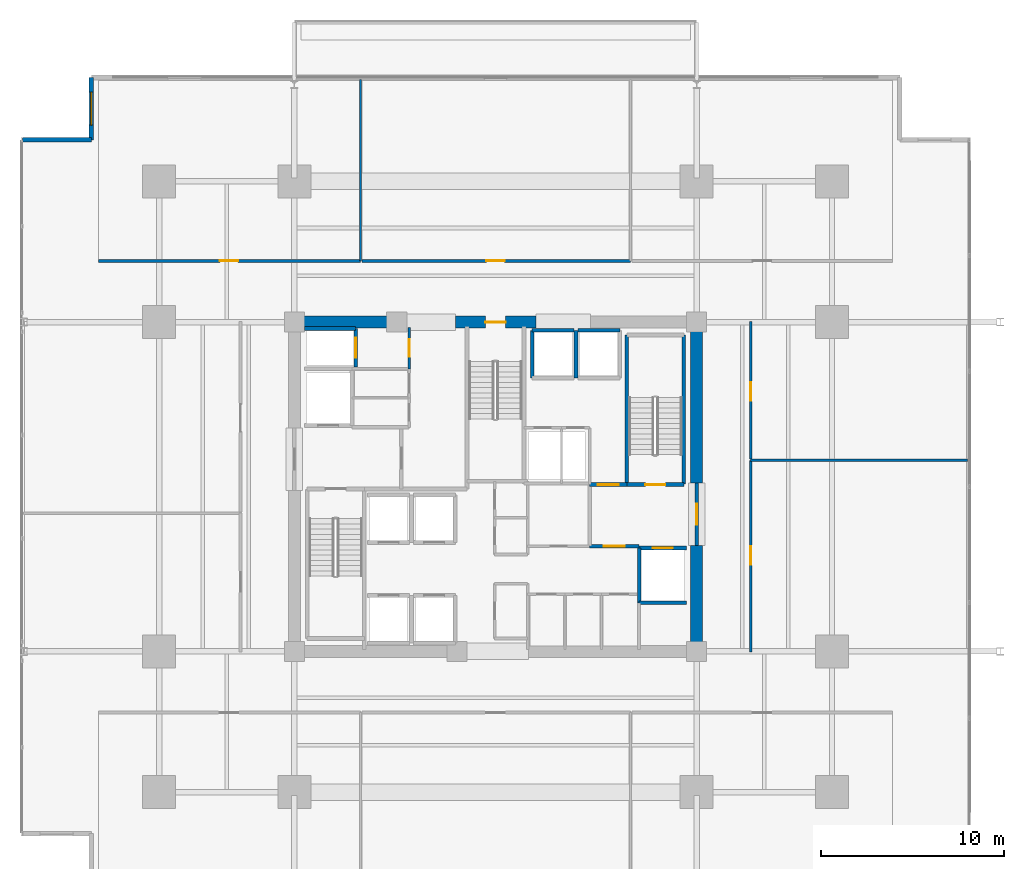
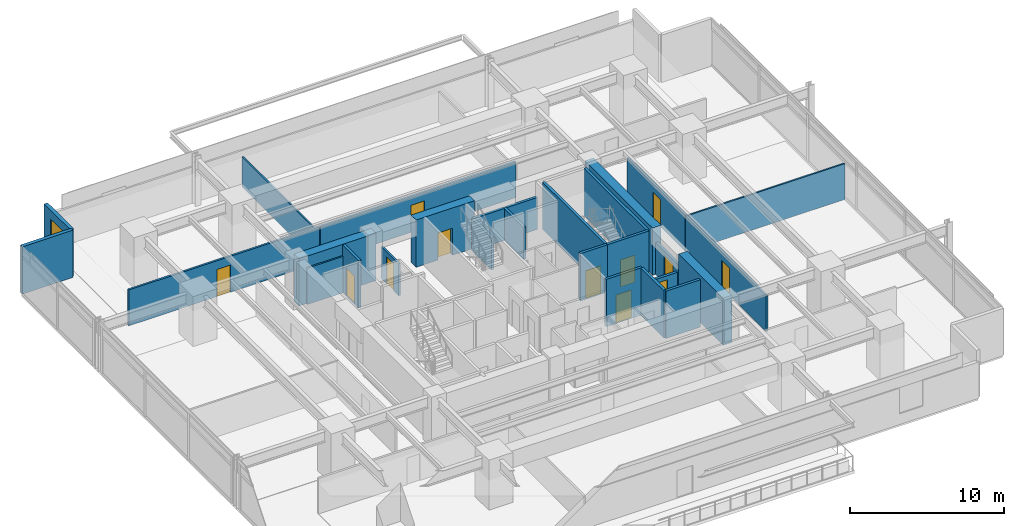
# One storey, part 17 of 23: 28 walls, 12 doors, 1 window, 13 openings.
"""IFC4 building model written with IfcOpenShell, lengths in metres."""

from ifc_helpers import new_model, si_unit, direction, frame, frame_2d, origin, place, context, subcontext, project, spatial, rectangle, extrude, material, layer, layer_set, type_object, element, fill, save


model = new_model("IFC4")

# Units and contexts
model_context = context("Model", 3, precision=1e-05, world=origin(), true_north=direction((0.0, 1.0)))
body_context = subcontext(model_context, "Body", "Model", "MODEL_VIEW")
ifc_project = project(units=[si_unit("LENGTHUNIT", "METRE"), si_unit("AREAUNIT", "SQUARE_METRE"), si_unit("VOLUMEUNIT", "CUBIC_METRE"), si_unit("PLANEANGLEUNIT", "RADIAN"), si_unit("MASSUNIT", "GRAM", prefix="KILO")], contexts=[model_context])

# Site, building, storey
site_placement = place(None, origin())
site = spatial("IfcSite", under=ifc_project, at=site_placement, CompositionType="ELEMENT")
building_placement = place(site_placement, origin())
building = spatial("IfcBuilding", under=site, at=building_placement, Name="Kovane Verandah Tower", CompositionType="ELEMENT")
storey_placement = place(building_placement, frame((0.0, 0.0, 63.60009765625)))
storey = spatial("IfcBuildingStorey", under=building, at=storey_placement, Name="L14", CompositionType="ELEMENT", Elevation=63.60009765625)

# Wall, opening, door
ifc_material_1 = material(Name="Fire-Rated Gypsum Stud Partition", Category="gypsum")
ifc_layer_1 = layer(ifc_material_1, 0.14990234375)
ifc_layer_set_1 = layer_set([ifc_layer_1], Name="Fire-Rated Gypsum Stud Partition")
wall_type_1 = type_object("IfcWallType", Name="WL-COR-150", PredefinedType="PARTITIONING", material=ifc_layer_set_1)
wall_1_placement = place(storey_placement, frame((35.280029296875, 33.949951171875, 0.0), z_axis=(0.0, 0.0, 1.0), x_axis=(0.0, 1.0, 0.0)))
wall_1 = element("IfcWall", 1, at=wall_1_placement, inside=storey, type_object=wall_type_1, Name="L14 Goods Lift Lobby East Fire Partition", PredefinedType="PARTITIONING", context=body_context, shape_type="SweptSolid", body=[
    extrude(rectangle(XDim=2.27001953125, YDim=0.14990234375, at=frame_2d((1.135009765625, 0.0))), origin(), (0.0, 0.0, 1.0), 2.539794921875),
])
opening_1_placement = place(wall_1_placement, frame((0.659912109375, 0.0, 0.0)))
opening_1 = element("IfcOpeningElement", 2, at=opening_1_placement, cuts=wall_1, Name="Opening DR-L14-008", PredefinedType="OPENING", context=body_context, shape_type="SweptSolid", body=[
    extrude(rectangle(XDim=0.949951171875, YDim=2.14990234375, at=frame_2d((0.47509765625, 1.074951171875))), frame((0.0, 0.074951171875, 0.0), z_axis=(0.0, -1.0, 0.0), x_axis=(1.0, 0.0, 0.0)), (0.0, 0.0, 1.0), 0.14990234375),
])
ifc_material_2 = material(Name="Fire-Rated Steel Refuge and Lobby Door", Category="steel")
door_type_1 = type_object("IfcDoorType", Name="DR-FIRE-950", OperationType="SINGLE_SWING_LEFT", PredefinedType="DOOR", material=ifc_material_2)
door_1_placement = place(opening_1_placement, origin())
door_1 = element("IfcDoor", 3, at=door_1_placement, inside=storey, type_object=door_type_1, Name="L14 Goods Lift Lobby Fire Door", OperationType="SINGLE_SWING_RIGHT", OverallHeight=2.14990234375, OverallWidth=0.949951171875, PredefinedType="DOOR", context=body_context, shape_type="SweptSolid", body=[
    extrude(rectangle(XDim=0.949951171875, YDim=2.14990234375, at=frame_2d((0.47509765625, 1.074951171875))), frame((0.0, 0.02490234375, 0.0), z_axis=(0.0, -1.0, 0.0), x_axis=(1.0, 0.0, 0.0)), (0.0, 0.0, 1.0), 0.050048828125),
])
fill(opening_1, door_1)

wall_2_placement = place(storey_placement, frame((18.29296875, 39.85009765625, 0.0), z_axis=(0.0, 0.0, 1.0), x_axis=(1.0, 0.0, 0.0)))
wall_2 = element("IfcWall", 4, at=wall_2_placement, inside=storey, type_object=wall_type_1, Name="L14 Meeting Room N1 Corridor Partition", PredefinedType="PARTITIONING", context=body_context, shape_type="SweptSolid", body=[
    extrude(rectangle(XDim=14.32666015625, YDim=0.14990234375, at=frame_2d((7.163330078125, 0.0))), origin(), (0.0, 0.0, 1.0), 2.849853515625),
])
opening_2_placement = place(wall_2_placement, frame((6.62841796875, 0.0, 0.0)))
opening_2 = element("IfcOpeningElement", 5, at=opening_2_placement, cuts=wall_2, Name="Opening DR-L14-021", PredefinedType="OPENING", context=body_context, shape_type="SweptSolid", body=[
    extrude(rectangle(XDim=1.0, YDim=2.14990234375, at=frame_2d((0.5, 1.074951171875))), frame((0.0, 0.074951171875, 0.0), z_axis=(0.0, -1.0, 0.0), x_axis=(1.0, 0.0, 0.0)), (0.0, 0.0, 1.0), 0.14990234375),
])
ifc_material_3 = material(Name="FSC Spotted-Gum Timber Fire-Rated Office Door", Category="wood")
door_type_2 = type_object("IfcDoorType", Name="DR-OFF-1000", OperationType="SINGLE_SWING_LEFT", PredefinedType="DOOR", material=ifc_material_3)
door_2_placement = place(opening_2_placement, origin())
door_2 = element("IfcDoor", 6, at=door_2_placement, inside=storey, type_object=door_type_2, Name="L14 Meeting Room N1 Entrance Door", OperationType="SINGLE_SWING_LEFT", OverallHeight=2.14990234375, OverallWidth=1.0, PredefinedType="DOOR", context=body_context, shape_type="SweptSolid", body=[
    extrude(rectangle(XDim=1.0, YDim=2.14990234375, at=frame_2d((0.5, 1.074951171875))), frame((0.0, 0.02490234375, 0.0), z_axis=(0.0, -1.0, 0.0), x_axis=(1.0, 0.0, 0.0)), (0.0, 0.0, 1.0), 0.050048828125),
])
fill(opening_2, door_2)

wall_3_placement = place(storey_placement, frame((32.689697265625, 39.85009765625, 0.0), z_axis=(0.0, 0.0, 1.0), x_axis=(1.0, 0.0, 0.0)))
wall_3 = element("IfcWall", 7, at=wall_3_placement, inside=storey, type_object=wall_type_1, Name="L14 Focus Studio N2 Corridor Partition", PredefinedType="PARTITIONING", context=body_context, shape_type="SweptSolid", body=[
    extrude(rectangle(XDim=14.690673828125, YDim=0.14990234375, at=frame_2d((7.34521484375, 0.0))), origin(), (0.0, 0.0, 1.0), 2.849853515625),
])
opening_3_placement = place(wall_3_placement, frame((6.810302734375, 0.0, 0.0)))
opening_3 = element("IfcOpeningElement", 8, at=opening_3_placement, cuts=wall_3, Name="Opening DR-L14-022", PredefinedType="OPENING", context=body_context, shape_type="SweptSolid", body=[
    extrude(rectangle(XDim=1.0, YDim=2.14990234375, at=frame_2d((0.5, 1.074951171875))), frame((0.0, 0.074951171875, 0.0), z_axis=(0.0, -1.0, 0.0), x_axis=(1.0, 0.0, 0.0)), (0.0, 0.0, 1.0), 0.14990234375),
])
door_3_placement = place(opening_3_placement, origin())
door_3 = element("IfcDoor", 9, at=door_3_placement, inside=storey, type_object=door_type_2, Name="L14 Focus Studio N2 Entrance Door", OperationType="SINGLE_SWING_RIGHT", OverallHeight=2.14990234375, OverallWidth=1.0, PredefinedType="DOOR", context=body_context, shape_type="SweptSolid", body=[
    extrude(rectangle(XDim=1.0, YDim=2.14990234375, at=frame_2d((0.5, 1.074951171875))), frame((0.0, 0.02490234375, 0.0), z_axis=(0.0, -1.0, 0.0), x_axis=(1.0, 0.0, 0.0)), (0.0, 0.0, 1.0), 0.050048828125),
])
fill(opening_3, door_3)

wall_4_placement = place(storey_placement, frame((53.949951171875, 18.449951171875, 0.0), z_axis=(0.0, 0.0, 1.0), x_axis=(0.0, 1.0, 0.0)))
wall_4 = element("IfcWall", 10, at=wall_4_placement, inside=storey, type_object=wall_type_1, Name="L14 Meeting Room E1 Corridor Partition", PredefinedType="PARTITIONING", context=body_context, shape_type="SweptSolid", body=[
    extrude(rectangle(XDim=10.498046875, YDim=0.14990234375, at=frame_2d((5.2490234375, 0.0))), origin(), (0.0, 0.0, 1.0), 2.849853515625),
])
opening_4_placement = place(wall_4_placement, frame((4.7890625, 0.0, 0.0)))
opening_4 = element("IfcOpeningElement", 11, at=opening_4_placement, cuts=wall_4, Name="Opening DR-L14-013", PredefinedType="OPENING", context=body_context, shape_type="SweptSolid", body=[
    extrude(rectangle(XDim=1.0, YDim=2.14990234375, at=frame_2d((0.5, 1.074951171875))), frame((0.0, 0.074951171875, 0.0), z_axis=(0.0, -1.0, 0.0), x_axis=(1.0, 0.0, 0.0)), (0.0, 0.0, 1.0), 0.14990234375),
])
door_4_placement = place(opening_4_placement, origin())
door_4 = element("IfcDoor", 12, at=door_4_placement, inside=storey, type_object=door_type_2, Name="L14 Meeting Room E1 Entrance Door", OperationType="SINGLE_SWING_LEFT", OverallHeight=2.14990234375, OverallWidth=1.0, PredefinedType="DOOR", context=body_context, shape_type="SweptSolid", body=[
    extrude(rectangle(XDim=1.0, YDim=2.14990234375, at=frame_2d((0.5, 1.074951171875))), frame((0.0, 0.02490234375, 0.0), z_axis=(0.0, -1.0, 0.0), x_axis=(1.0, 0.0, 0.0)), (0.0, 0.0, 1.0), 0.050048828125),
])
fill(opening_4, door_4)

wall_5_placement = place(storey_placement, frame((53.949951171875, 29.01806640625, 0.0), z_axis=(0.0, 0.0, 1.0), x_axis=(0.0, 1.0, 0.0)))
wall_5 = element("IfcWall", 13, at=wall_5_placement, inside=storey, type_object=wall_type_1, Name="L14 Focus Studio E2 Corridor Partition", PredefinedType="PARTITIONING", context=body_context, shape_type="SweptSolid", body=[
    extrude(rectangle(XDim=7.531982421875, YDim=0.14990234375, at=frame_2d((3.76611328125, 0.0))), origin(), (0.0, 0.0, 1.0), 2.849853515625),
])
opening_5_placement = place(wall_5_placement, frame((3.19091796875, 0.0, 0.0)))
opening_5 = element("IfcOpeningElement", 14, at=opening_5_placement, cuts=wall_5, Name="Opening DR-L14-014", PredefinedType="OPENING", context=body_context, shape_type="SweptSolid", body=[
    extrude(rectangle(XDim=1.0, YDim=2.14990234375, at=frame_2d((0.5, 1.074951171875))), frame((0.0, 0.074951171875, 0.0), z_axis=(0.0, -1.0, 0.0), x_axis=(1.0, 0.0, 0.0)), (0.0, 0.0, 1.0), 0.14990234375),
])
door_5_placement = place(opening_5_placement, origin())
door_5 = element("IfcDoor", 15, at=door_5_placement, inside=storey, type_object=door_type_2, Name="L14 Focus Studio E2 Entrance Door", OperationType="SINGLE_SWING_RIGHT", OverallHeight=2.14990234375, OverallWidth=1.0, PredefinedType="DOOR", context=body_context, shape_type="SweptSolid", body=[
    extrude(rectangle(XDim=1.0, YDim=2.14990234375, at=frame_2d((0.5, 1.074951171875))), frame((0.0, 0.02490234375, 0.0), z_axis=(0.0, -1.0, 0.0), x_axis=(1.0, 0.0, 0.0)), (0.0, 0.0, 1.0), 0.050048828125),
])
fill(opening_5, door_5)

# Wall
ifc_material_4 = material(Name="Concrete C80/95", Category="concrete")
ifc_layer_2 = layer(ifc_material_4, 0.64990234375)
ifc_layer_set_2 = layer_set([ifc_layer_2], Name="Concrete C80/95")
wall_type_2 = type_object("IfcWallType", Name="WL-CORE-650", PredefinedType="SHEAR", material=ifc_layer_set_2)
wall_6_placement = place(storey_placement, frame((29.0, 36.5, 0.0), z_axis=(0.0, 0.0, 1.0), x_axis=(1.0, 0.0, 0.0)))
element("IfcWall", 16, at=wall_6_placement, inside=storey, type_object=wall_type_2, Name="L14 Core Shear Wall CN-1", PredefinedType="SHEAR", context=body_context, shape_type="SweptSolid", body=[
    extrude(rectangle(XDim=5.800048828125, YDim=0.64990234375, at=frame_2d((2.89990234375, 0.0))), origin(), (0.0, 0.0, 1.0), 3.760009765625),
])

# Wall, opening, door
wall_7_placement = place(storey_placement, frame((37.800048828125, 36.5, 0.0), z_axis=(0.0, 0.0, 1.0), x_axis=(1.0, 0.0, 0.0)))
wall_7 = element("IfcWall", 17, at=wall_7_placement, inside=storey, type_object=wall_type_2, Name="L14 Core Shear Wall CN-2", PredefinedType="SHEAR", context=body_context, shape_type="SweptSolid", body=[
    extrude(rectangle(XDim=4.39990234375, YDim=0.64990234375, at=frame_2d((2.199951171875, 0.0))), origin(), (0.0, 0.0, 1.0), 3.760009765625),
])
opening_6_placement = place(wall_7_placement, frame((1.64990234375, 0.0, 0.0)))
opening_6 = element("IfcOpeningElement", 18, at=opening_6_placement, cuts=wall_7, Name="Opening DR-L14-011", PredefinedType="OPENING", context=body_context, shape_type="SweptSolid", body=[
    extrude(rectangle(XDim=1.10009765625, YDim=2.14990234375, at=frame_2d((0.550048828125, 1.074951171875))), frame((0.0, 0.324951171875, 0.0), z_axis=(0.0, -1.0, 0.0), x_axis=(1.0, 0.0, 0.0)), (0.0, 0.0, 1.0), 0.64990234375),
])
ifc_material_5 = material(Name="Fire-Rated Steel Exit Door", Category="steel")
door_type_3 = type_object("IfcDoorType", Name="DR-STAIR-1100", OperationType="SINGLE_SWING_LEFT", PredefinedType="DOOR", material=ifc_material_5)
door_6_placement = place(opening_6_placement, origin())
door_6 = element("IfcDoor", 19, at=door_6_placement, inside=storey, type_object=door_type_3, Name="L14 ST-03 Fire Exit Stair Door", OperationType="SINGLE_SWING_RIGHT", OverallHeight=2.14990234375, OverallWidth=1.10009765625, PredefinedType="DOOR", context=body_context, shape_type="SweptSolid", body=[
    extrude(rectangle(XDim=1.10009765625, YDim=2.14990234375, at=frame_2d((0.550048828125, 1.074951171875))), frame((0.0, 0.02490234375, 0.0), z_axis=(0.0, -1.0, 0.0), x_axis=(1.0, 0.0, 0.0)), (0.0, 0.0, 1.0), 0.050048828125),
])
fill(opening_6, door_6)

# Walls
wall_8_placement = place(storey_placement, frame((51.0, 18.5, 0.0), z_axis=(0.0, 0.0, 1.0), x_axis=(0.0, 1.0, 0.0)))
element("IfcWall", 20, at=wall_8_placement, inside=storey, type_object=wall_type_2, Name="L14 Core Shear Wall CE-1", PredefinedType="SHEAR", context=body_context, shape_type="SweptSolid", body=[
    extrude(rectangle(XDim=5.800048828125, YDim=0.64990234375, at=frame_2d((2.89990234375, 0.0))), origin(), (0.0, 0.0, 1.0), 3.760009765625),
])
wall_9_placement = place(storey_placement, frame((51.0, 27.699951171875, 0.0), z_axis=(0.0, 0.0, 1.0), x_axis=(0.0, 1.0, 0.0)))
element("IfcWall", 21, at=wall_9_placement, inside=storey, type_object=wall_type_2, Name="L14 Core Shear Wall CE-2", PredefinedType="SHEAR", context=body_context, shape_type="SweptSolid", body=[
    extrude(rectangle(XDim=8.800048828125, YDim=0.64990234375, at=frame_2d((4.39990234375, 0.0))), origin(), (0.0, 0.0, 1.0), 3.760009765625),
])

# Wall, opening, door
ifc_material_6 = material(Name="Concrete C45/55 Fire Wall", Category="concrete")
ifc_layer_3 = layer(ifc_material_6, 0.199951171875)
ifc_layer_set_3 = layer_set([ifc_layer_3], Name="Concrete C45/55 Fire Wall")
wall_type_3 = type_object("IfcWallType", Name="WL-FFL-200", PredefinedType="PARTITIONING", material=ifc_layer_set_3)
wall_10_placement = place(storey_placement, frame((45.14990234375, 24.25, 0.0), z_axis=(0.0, 0.0, 1.0), x_axis=(1.0, 0.0, 0.0)))
wall_10 = element("IfcWall", 22, at=wall_10_placement, inside=storey, type_object=wall_type_3, Name="W-L14-FFLE-S", PredefinedType="PARTITIONING", context=body_context, shape_type="SweptSolid", body=[
    extrude(rectangle(XDim=2.7001953125, YDim=0.199951171875, at=frame_2d((1.35009765625, 0.0))), origin(), (0.0, 0.0, 1.0), 3.760009765625),
])
opening_7_placement = place(wall_10_placement, frame((0.77490234375, 0.0, 0.0)))
opening_7 = element("IfcOpeningElement", 23, at=opening_7_placement, cuts=wall_10, Name="Opening DR-L14-003", PredefinedType="OPENING", context=body_context, shape_type="SweptSolid", body=[
    extrude(rectangle(XDim=1.14990234375, YDim=2.199951171875, at=frame_2d((0.574951171875, 1.10009765625))), frame((0.0, 0.10009765625, 0.0), z_axis=(0.0, -1.0, 0.0), x_axis=(1.0, 0.0, 0.0)), (0.0, 0.0, 1.0), 0.199951171875),
])
ifc_material_7 = material(Name="Smoke-Sealed Firefighting Lobby Door", Category="steel")
door_type_4 = type_object("IfcDoorType", Name="DR-FFL-1150", OperationType="SINGLE_SWING_LEFT", PredefinedType="DOOR", material=ifc_material_7)
door_7_placement = place(opening_7_placement, origin())
door_7 = element("IfcDoor", 24, at=door_7_placement, inside=storey, type_object=door_type_4, Name="L14 East Firefighting Lobby Inner Door", OperationType="SINGLE_SWING_RIGHT", OverallHeight=2.199951171875, OverallWidth=1.14990234375, PredefinedType="DOOR", context=body_context, shape_type="SweptSolid", body=[
    extrude(rectangle(XDim=1.14990234375, YDim=2.199951171875, at=frame_2d((0.574951171875, 1.10009765625))), frame((0.0, 0.02490234375, 0.0), z_axis=(0.0, -1.0, 0.0), x_axis=(1.0, 0.0, 0.0)), (0.0, 0.0, 1.0), 0.050048828125),
])
fill(opening_7, door_7)

wall_11_placement = place(storey_placement, frame((45.14990234375, 27.6201171875, 0.0), z_axis=(0.0, 0.0, 1.0), x_axis=(1.0, 0.0, 0.0)))
wall_11 = element("IfcWall", 25, at=wall_11_placement, inside=storey, type_object=wall_type_3, Name="W-L14-FFLE-N", PredefinedType="PARTITIONING", context=body_context, shape_type="SweptSolid", body=[
    extrude(rectangle(XDim=2.030029296875, YDim=0.199951171875, at=frame_2d((1.01513671875, 0.0))), origin(), (0.0, 0.0, 1.0), 3.760009765625),
])
opening_8_placement = place(wall_11_placement, frame((0.43994140625, 0.0, 0.0)))
opening_8 = element("IfcOpeningElement", 26, at=opening_8_placement, cuts=wall_11, Name="Opening DR-L14-004", PredefinedType="OPENING", context=body_context, shape_type="SweptSolid", body=[
    extrude(rectangle(XDim=1.14990234375, YDim=2.199951171875, at=frame_2d((0.574951171875, 1.10009765625))), frame((0.0, 0.10009765625, 0.0), z_axis=(0.0, -1.0, 0.0), x_axis=(1.0, 0.0, 0.0)), (0.0, 0.0, 1.0), 0.199951171875),
])
door_8_placement = place(opening_8_placement, origin())
door_8 = element("IfcDoor", 27, at=door_8_placement, inside=storey, type_object=door_type_4, Name="L14 East Firefighting Lobby Shuttle Link Door", OperationType="SINGLE_SWING_LEFT", OverallHeight=2.199951171875, OverallWidth=1.14990234375, PredefinedType="DOOR", context=body_context, shape_type="SweptSolid", body=[
    extrude(rectangle(XDim=1.14990234375, YDim=2.199951171875, at=frame_2d((0.574951171875, 1.10009765625))), frame((0.0, 0.02490234375, 0.0), z_axis=(0.0, -1.0, 0.0), x_axis=(1.0, 0.0, 0.0)), (0.0, 0.0, 1.0), 0.050048828125),
])
fill(opening_8, door_8)

wall_12_placement = place(storey_placement, frame((51.0, 24.300048828125, 0.0), z_axis=(0.0, 0.0, 1.0), x_axis=(0.0, 1.0, 0.0)))
wall_12 = element("IfcWall", 28, at=wall_12_placement, inside=storey, type_object=wall_type_3, Name="W-L14-FFLE-OUT", PredefinedType="PARTITIONING", context=body_context, shape_type="SweptSolid", body=[
    extrude(rectangle(XDim=3.39990234375, YDim=0.199951171875, at=frame_2d((1.699951171875, 0.0))), origin(), (0.0, 0.0, 1.0), 2.539794921875),
])
opening_9_placement = place(wall_12_placement, frame((1.125, 0.0, 0.0)))
opening_9 = element("IfcOpeningElement", 29, at=opening_9_placement, cuts=wall_12, Name="Opening DR-L14-005", PredefinedType="OPENING", context=body_context, shape_type="SweptSolid", body=[
    extrude(rectangle(XDim=1.14990234375, YDim=2.199951171875, at=frame_2d((0.574951171875, 1.10009765625))), frame((0.0, 0.10009765625, 0.0), z_axis=(0.0, -1.0, 0.0), x_axis=(1.0, 0.0, 0.0)), (0.0, 0.0, 1.0), 0.199951171875),
])
door_9_placement = place(opening_9_placement, origin())
door_9 = element("IfcDoor", 30, at=door_9_placement, inside=storey, type_object=door_type_4, Name="L14 East Firefighting Lobby Corridor Door", OperationType="SINGLE_SWING_LEFT", OverallHeight=2.199951171875, OverallWidth=1.14990234375, PredefinedType="DOOR", context=body_context, shape_type="SweptSolid", body=[
    extrude(rectangle(XDim=1.14990234375, YDim=2.199951171875, at=frame_2d((0.574951171875, 1.10009765625))), frame((0.0, 0.02490234375, 0.0), z_axis=(0.0, -1.0, 0.0), x_axis=(1.0, 0.0, 0.0)), (0.0, 0.0, 1.0), 0.050048828125),
])
fill(opening_9, door_9)

# Wall
ifc_material_8 = material(Name="Concrete C45/55 Lift Shaft Wall", Category="concrete")
ifc_layer_4 = layer(ifc_material_8, 0.199951171875)
ifc_layer_set_4 = layer_set([ifc_layer_4], Name="Concrete C45/55 Lift Shaft Wall")
wall_type_4 = type_object("IfcWallType", Name="WL-LIFT-200", PredefinedType="SOLIDWALL", material=ifc_layer_set_4)
wall_13_placement = place(storey_placement, frame((47.85009765625, 21.14990234375, 0.0), z_axis=(0.0, 0.0, 1.0), x_axis=(1.0, 0.0, 0.0)))
element("IfcWall", 31, at=wall_13_placement, inside=storey, type_object=wall_type_4, Name="L14 Lift FL-02 S Shaft Wall", PredefinedType="SOLIDWALL", context=body_context, shape_type="SweptSolid", body=[
    extrude(rectangle(XDim=2.599853515625, YDim=0.199951171875, at=frame_2d((1.2998046875, 0.0))), origin(), (0.0, 0.0, 1.0), 3.760009765625),
])

# Wall, opening, door
wall_14_placement = place(storey_placement, frame((50.449951171875, 24.14990234375, 0.0), z_axis=(0.0, 0.0, 1.0), x_axis=(-1.0, 0.0, 0.0)))
wall_14 = element("IfcWall", 32, at=wall_14_placement, inside=storey, type_object=wall_type_4, Name="L14 Lift FL-02 N Shaft Wall", PredefinedType="SOLIDWALL", context=body_context, shape_type="SweptSolid", body=[
    extrude(rectangle(XDim=2.599853515625, YDim=0.199951171875, at=frame_2d((1.2998046875, 0.0))), origin(), (0.0, 0.0, 1.0), 2.539794921875),
])
opening_10_placement = place(wall_14_placement, frame((0.75, 0.0, 0.0)))
opening_10 = element("IfcOpeningElement", 33, at=opening_10_placement, cuts=wall_14, Name="Opening LD-L14-002", PredefinedType="OPENING", context=body_context, shape_type="SweptSolid", body=[
    extrude(rectangle(XDim=1.10009765625, YDim=2.199951171875, at=frame_2d((0.550048828125, 1.10009765625))), frame((0.0, 0.10009765625, 0.0), z_axis=(0.0, -1.0, 0.0), x_axis=(1.0, 0.0, 0.0)), (0.0, 0.0, 1.0), 0.199951171875),
])
ifc_material_9 = material(Name="Brushed Stainless Steel Sliding Lift Landing Door", Category="steel")
door_type_5 = type_object("IfcDoorType", Name="DR-LIFT-1100", OperationType="SLIDING_TO_RIGHT", PredefinedType="DOOR", material=ifc_material_9)
door_10_placement = place(opening_10_placement, origin())
door_10 = element("IfcDoor", 34, at=door_10_placement, inside=storey, type_object=door_type_5, Name="L14 Lift FL-02 Sliding Landing Door", OperationType="SLIDING_TO_RIGHT", OverallHeight=2.199951171875, OverallWidth=1.10009765625, PredefinedType="DOOR", context=body_context, shape_type="SweptSolid", body=[
    extrude(rectangle(XDim=1.10009765625, YDim=2.199951171875, at=frame_2d((0.550048828125, 1.10009765625))), frame((0.0, 0.02490234375, 0.0), z_axis=(0.0, -1.0, 0.0), x_axis=(1.0, 0.0, 0.0)), (0.0, 0.0, 1.0), 0.050048828125),
])
fill(opening_10, door_10)

# Walls
wall_15_placement = place(storey_placement, frame((47.85009765625, 24.14990234375, 0.0), z_axis=(0.0, 0.0, 1.0), x_axis=(0.0, -1.0, 0.0)))
element("IfcWall", 35, at=wall_15_placement, inside=storey, type_object=wall_type_4, Name="L14 Lift FL-02 W Shaft Wall", PredefinedType="SOLIDWALL", context=body_context, shape_type="SweptSolid", body=[
    extrude(rectangle(XDim=3.0, YDim=0.199951171875, at=frame_2d((1.5, 0.0))), origin(), (0.0, 0.0, 1.0), 3.760009765625),
])
wall_16_placement = place(storey_placement, frame((32.35009765625, 36.14990234375, 0.0), z_axis=(0.0, 0.0, 1.0), x_axis=(-1.0, 0.0, 0.0)))
element("IfcWall", 36, at=wall_16_placement, inside=storey, type_object=wall_type_4, Name="L14 Lift GL-01 N Shaft Wall", PredefinedType="SOLIDWALL", context=body_context, shape_type="SweptSolid", body=[
    extrude(rectangle(XDim=2.800048828125, YDim=0.199951171875, at=frame_2d((1.39990234375, 0.0))), origin(), (0.0, 0.0, 1.0), 2.88916015625),
])

# Wall, opening, door
wall_17_placement = place(storey_placement, frame((32.35009765625, 34.050048828125, 0.0), z_axis=(0.0, 0.0, 1.0), x_axis=(0.0, 1.0, 0.0)))
wall_17 = element("IfcWall", 37, at=wall_17_placement, inside=storey, type_object=wall_type_4, Name="L14 Lift GL-01 E Shaft Wall", PredefinedType="SOLIDWALL", context=body_context, shape_type="SweptSolid", body=[
    extrude(rectangle(XDim=2.099853515625, YDim=0.199951171875, at=frame_2d((1.0498046875, 0.0))), origin(), (0.0, 0.0, 1.0), 3.760009765625),
])
opening_11_placement = place(wall_17_placement, frame((0.5, 0.0, 0.0)))
opening_11 = element("IfcOpeningElement", 38, at=opening_11_placement, cuts=wall_17, Name="Opening LD-L14-003", PredefinedType="OPENING", context=body_context, shape_type="SweptSolid", body=[
    extrude(rectangle(XDim=1.10009765625, YDim=2.199951171875, at=frame_2d((0.550048828125, 1.10009765625))), frame((0.0, 0.10009765625, 0.0), z_axis=(0.0, -1.0, 0.0), x_axis=(1.0, 0.0, 0.0)), (0.0, 0.0, 1.0), 0.199951171875),
])
door_11_placement = place(opening_11_placement, origin())
door_11 = element("IfcDoor", 39, at=door_11_placement, inside=storey, type_object=door_type_5, Name="L14 Lift GL-01 Sliding Landing Door", OperationType="SLIDING_TO_RIGHT", OverallHeight=2.199951171875, OverallWidth=1.10009765625, PredefinedType="DOOR", context=body_context, shape_type="SweptSolid", body=[
    extrude(rectangle(XDim=1.10009765625, YDim=2.199951171875, at=frame_2d((0.550048828125, 1.10009765625))), frame((0.0, 0.02490234375, 0.0), z_axis=(0.0, -1.0, 0.0), x_axis=(1.0, 0.0, 0.0)), (0.0, 0.0, 1.0), 0.050048828125),
])
fill(opening_11, door_11)

# Walls
wall_18_placement = place(storey_placement, frame((44.300048828125, 36.050048828125, 0.0), z_axis=(0.0, 0.0, 1.0), x_axis=(-1.0, 0.0, 0.0)))
element("IfcWall", 40, at=wall_18_placement, inside=storey, type_object=wall_type_4, Name="L14 Lift SL-01 N Shaft Wall", PredefinedType="SOLIDWALL", context=body_context, shape_type="SweptSolid", body=[
    extrude(rectangle(XDim=2.300048828125, YDim=0.199951171875, at=frame_2d((1.14990234375, 0.0))), origin(), (0.0, 0.0, 1.0), 2.539794921875),
])
for number, where, z_axis, x_axis, name in (
    (41, (42.0, 36.050048828125, 0.0), (0.0, 0.0, 1.0), (0.0, -1.0, 0.0), "L14 Lift SL-01 W Shaft Wall"),
    (42, (44.39990234375, 33.449951171875, 0.0), (0.0, 0.0, 1.0), (0.0, 1.0, 0.0), "L14 Lift OL-01 and SL-01 Shared Shaft Wall"),
):
    element("IfcWall", number, at=place(storey_placement, frame(where, z_axis=z_axis, x_axis=x_axis)), inside=storey, type_object=wall_type_4, Name=name, PredefinedType="SOLIDWALL", context=body_context, shape_type="SweptSolid", body=[
        extrude(rectangle(XDim=2.60009765625, YDim=0.199951171875, at=frame_2d((1.300048828125, 0.0))), origin(), (0.0, 0.0, 1.0), 2.539794921875),
    ])
wall_19_placement = place(storey_placement, frame((46.800048828125, 36.050048828125, 0.0), z_axis=(0.0, 0.0, 1.0), x_axis=(-1.0, 0.0, 0.0)))
element("IfcWall", 43, at=wall_19_placement, inside=storey, type_object=wall_type_4, Name="L14 Lift OL-01 N Shaft Wall", PredefinedType="SOLIDWALL", context=body_context, shape_type="SweptSolid", body=[
    extrude(rectangle(XDim=2.300048828125, YDim=0.199951171875, at=frame_2d((1.14990234375, 0.0))), origin(), (0.0, 0.0, 1.0), 2.539794921875),
])
ifc_material_10 = material(Name="Acoustic Fire-Rated Gypsum Partition", Category="gypsum")
ifc_layer_5 = layer(ifc_material_10, 0.1201171875)
ifc_layer_set_5 = layer_set([ifc_layer_5], Name="Acoustic Fire-Rated Gypsum Partition")
wall_type_5 = type_object("IfcWallType", Name="WL-PART-120", PredefinedType="PARTITIONING", material=ifc_layer_set_5)
wall_20_placement = place(storey_placement, frame((32.61962890625, 39.85009765625, 0.0), z_axis=(0.0, 0.0, 1.0), x_axis=(0.0, 1.0, 0.0)))
element("IfcWall", 44, at=wall_20_placement, inside=storey, type_object=wall_type_5, Name="L14 Meeting Room N1 Dividing Partition", PredefinedType="PARTITIONING", context=body_context, shape_type="SweptSolid", body=[
    extrude(rectangle(XDim=9.9248046875, YDim=0.1201171875, at=frame_2d((4.96240234375, 0.0))), origin(), (0.0, 0.0, 1.0), 2.389892578125),
])
wall_21_placement = place(storey_placement, frame((53.949951171875, 28.947998046875, 0.0), z_axis=(0.0, 0.0, 1.0), x_axis=(1.0, 0.0, 0.0)))
element("IfcWall", 45, at=wall_21_placement, inside=storey, type_object=wall_type_5, Name="L14 Meeting Room E1 Dividing Partition", PredefinedType="PARTITIONING", context=body_context, shape_type="SweptSolid", body=[
    extrude(rectangle(XDim=11.857177734375, YDim=0.1201171875, at=frame_2d((5.9287109375, 0.0))), origin(), (0.0, 0.0, 1.0), 2.849853515625),
])
ifc_material_11 = material(Name="Concrete C45/55", Category="concrete")
ifc_layer_6 = layer(ifc_material_11, 0.199951171875)
ifc_layer_set_6 = layer_set([ifc_layer_6], Name="Concrete C45/55")
wall_type_6 = type_object("IfcWallType", Name="WL-SHAFT-200", PredefinedType="SOLIDWALL", material=ifc_layer_set_6)
wall_22_placement = place(storey_placement, frame((50.300048828125, 27.64990234375, 0.0), z_axis=(0.0, 0.0, 1.0), x_axis=(0.0, 1.0, 0.0)))
element("IfcWall", 46, at=wall_22_placement, inside=storey, type_object=wall_type_6, Name="W-L14-ST02-E", PredefinedType="SOLIDWALL", context=body_context, shape_type="SweptSolid", body=[
    extrude(rectangle(XDim=8.150146484375, YDim=0.199951171875, at=frame_2d((4.0751953125, 0.0))), origin(), (0.0, 0.0, 1.0), 3.760009765625),
])
wall_23_placement = place(storey_placement, frame((47.179931640625, 27.6201171875, 0.0), z_axis=(0.0, 0.0, 1.0), x_axis=(0.0, 1.0, 0.0)))
element("IfcWall", 47, at=wall_23_placement, inside=storey, type_object=wall_type_6, Name="W-L14-ST02-W", PredefinedType="SOLIDWALL", context=body_context, shape_type="SweptSolid", body=[
    extrude(rectangle(XDim=8.179931640625, YDim=0.199951171875, at=frame_2d((4.08984375, 0.0))), origin(), (0.0, 0.0, 1.0), 3.760009765625),
])

# Wall, opening, door
wall_24_placement = place(storey_placement, frame((47.179931640625, 27.6201171875, 0.0), z_axis=(0.0, 0.0, 1.0), x_axis=(1.0, 0.0, 0.0)))
wall_24 = element("IfcWall", 48, at=wall_24_placement, inside=storey, type_object=wall_type_6, Name="W-L14-ST02-S", PredefinedType="SOLIDWALL", context=body_context, shape_type="SweptSolid", body=[
    extrude(rectangle(XDim=3.1201171875, YDim=0.199951171875, at=frame_2d((1.56005859375, 0.0))), origin(), (0.0, 0.0, 1.0), 3.760009765625),
])
opening_12_placement = place(wall_24_placement, frame((1.010009765625, 0.0, 0.0)))
opening_12 = element("IfcOpeningElement", 49, at=opening_12_placement, cuts=wall_24, Name="Opening DR-L14-010", PredefinedType="OPENING", context=body_context, shape_type="SweptSolid", body=[
    extrude(rectangle(XDim=1.10009765625, YDim=2.14990234375, at=frame_2d((0.550048828125, 1.074951171875))), frame((0.0, 0.10009765625, 0.0), z_axis=(0.0, -1.0, 0.0), x_axis=(1.0, 0.0, 0.0)), (0.0, 0.0, 1.0), 0.199951171875),
])
door_12_placement = place(opening_12_placement, origin())
door_12 = element("IfcDoor", 50, at=door_12_placement, inside=storey, type_object=door_type_3, Name="L14 ST-02 Fire Exit Stair Door", OperationType="SINGLE_SWING_LEFT", OverallHeight=2.14990234375, OverallWidth=1.10009765625, PredefinedType="DOOR", context=body_context, shape_type="SweptSolid", body=[
    extrude(rectangle(XDim=1.10009765625, YDim=2.14990234375, at=frame_2d((0.550048828125, 1.074951171875))), frame((0.0, 0.02490234375, 0.0), z_axis=(0.0, -1.0, 0.0), x_axis=(1.0, 0.0, 0.0)), (0.0, 0.0, 1.0), 0.050048828125),
])
fill(opening_12, door_12)

# Wall, opening, window
ifc_material_12 = material(Name="Concrete C45/55 Insulated Spandrel Wall", Category="concrete")
ifc_layer_7 = layer(ifc_material_12, 0.260009765625)
ifc_layer_set_7 = layer_set([ifc_layer_7], Name="Concrete C45/55 Insulated Spandrel Wall")
wall_type_7 = type_object("IfcWallType", Name="WL-SPANDREL-260", PredefinedType="PARAPET", material=ifc_layer_set_7)
wall_25_placement = place(storey_placement, frame((17.892822265625, 49.875, 0.0), z_axis=(0.0, 0.0, 1.0), x_axis=(0.0, -1.0, 0.0)))
wall_25 = element("IfcWall", 51, at=wall_25_placement, inside=storey, type_object=wall_type_7, Name="L14 NW Notch Cheek Wall 1", PredefinedType="PARAPET", context=body_context, shape_type="SweptSolid", body=[
    extrude(rectangle(XDim=3.39990234375, YDim=0.260009765625, at=frame_2d((1.699951171875, 0.0))), origin(), (0.0, 0.0, 1.0), 3.760009765625),
])
opening_13_placement = place(wall_25_placement, frame((0.800048828125, 0.0, 0.85009765625)))
opening_13 = element("IfcOpeningElement", 52, at=opening_13_placement, cuts=wall_25, Name="Opening W-03", PredefinedType="OPENING", context=body_context, shape_type="SweptSolid", body=[
    extrude(rectangle(XDim=1.800048828125, YDim=2.199951171875, at=frame_2d((0.89990234375, 1.10009765625))), frame((0.0, 0.1298828125, 0.0), z_axis=(0.0, -1.0, 0.0), x_axis=(1.0, 0.0, 0.0)), (0.0, 0.0, 1.0), 0.260009765625),
])
ifc_material_13 = material(Name="Clear Low-E Laminated Double Glazing in Anodised Frame", Category="glass")
window_type = type_object("IfcWindowType", Name="WN-NOTCH-1800x2200", PartitioningType="SINGLE_PANEL", PredefinedType="WINDOW", material=ifc_material_13)
window_placement = place(opening_13_placement, origin())
window = element("IfcWindow", 53, at=window_placement, inside=storey, type_object=window_type, Name="L14 NW Re-Entrant Corner Operable Window", OverallHeight=2.199951171875, OverallWidth=1.800048828125, PartitioningType="SINGLE_PANEL", PredefinedType="WINDOW", context=body_context, shape_type="SweptSolid", body=[
    extrude(rectangle(XDim=1.800048828125, YDim=2.199951171875, at=frame_2d((0.89990234375, 1.10009765625))), frame((0.0, 0.030029296875, 0.0), z_axis=(0.0, -1.0, 0.0), x_axis=(1.0, 0.0, 0.0)), (0.0, 0.0, 1.0), 0.06005859375),
])
fill(opening_13, window)

# Wall
wall_26_placement = place(storey_placement, frame((17.892822265625, 46.47509765625, 0.0), z_axis=(0.0, 0.0, 1.0), x_axis=(-1.0, 0.0, 0.0)))
element("IfcWall", 54, at=wall_26_placement, inside=storey, type_object=wall_type_7, Name="L14 NW Notch Cheek Wall 2", PredefinedType="PARAPET", context=body_context, shape_type="SweptSolid", body=[
    extrude(rectangle(XDim=3.7998046875, YDim=0.260009765625, at=frame_2d((1.89990234375, 0.0))), origin(), (0.0, 0.0, 1.0), 3.760009765625),
])

save(model, "model.ifc")
